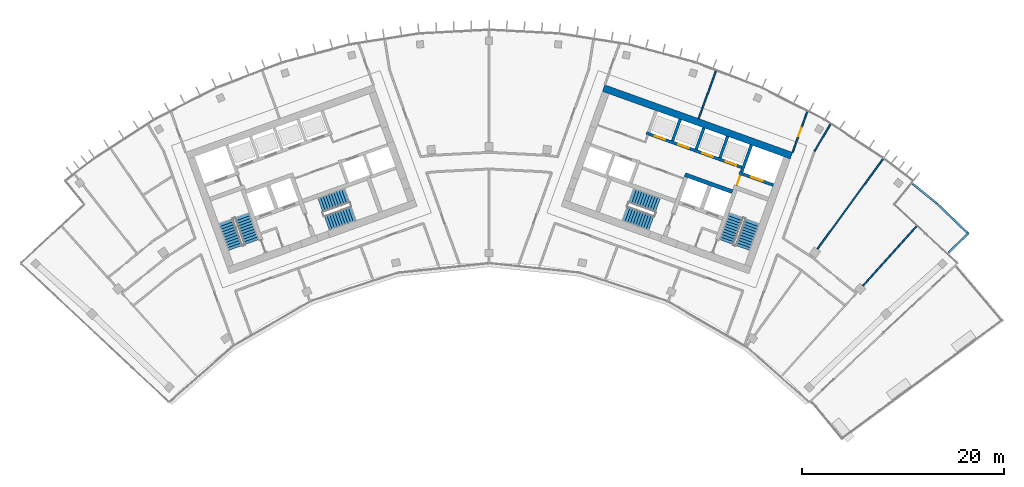
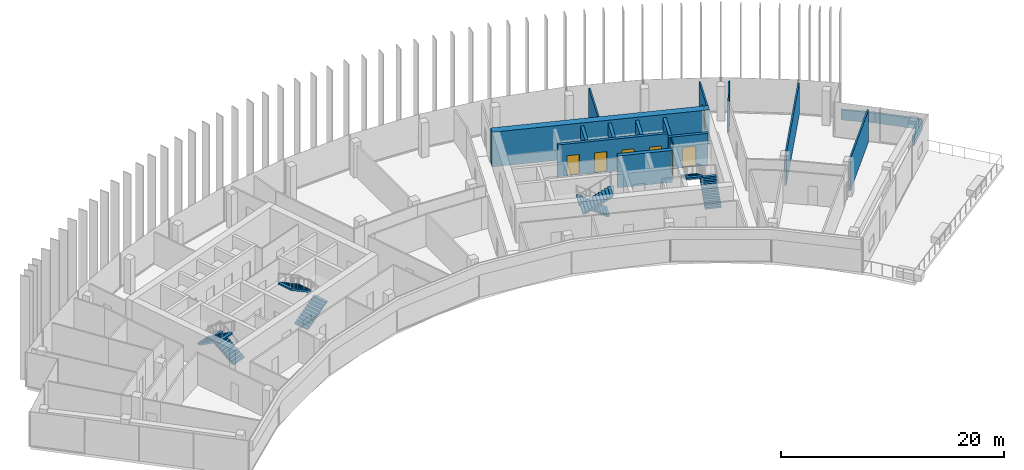
# One storey, part 17 of 19: 17 walls, 8 stair flights, 7 doors, 7 openings, 4 elements without a shape of their own.
"""IFC4 building model written with IfcOpenShell, lengths in metres."""

from ifc_helpers import new_model, si_unit, direction, frame, frame_2d, origin, place, context, subcontext, project, spatial, polyline, rectangle, outline, extrude, material, layer, layer_set, type_object, element, fill, aggregate, save


model = new_model("IFC4")

# Units and contexts
model_context = context("Model", 3, precision=1e-05, world=origin(), true_north=direction((0.0, 1.0)))
body_context = subcontext(model_context, "Body", "Model", "MODEL_VIEW")
ifc_project = project(units=[si_unit("LENGTHUNIT", "METRE"), si_unit("AREAUNIT", "SQUARE_METRE"), si_unit("VOLUMEUNIT", "CUBIC_METRE"), si_unit("PLANEANGLEUNIT", "RADIAN"), si_unit("MASSUNIT", "GRAM", prefix="KILO")], contexts=[model_context])

# Site, building, storey
site_placement = place(None, origin())
site = spatial("IfcSite", under=ifc_project, at=site_placement, CompositionType="ELEMENT")
building_placement = place(site_placement, origin())
building = spatial("IfcBuilding", under=site, at=building_placement, Name="Stone Belt Terrace Tower", CompositionType="ELEMENT")
storey_placement = place(building_placement, frame((0.0, 0.0, 258.0)))
storey = spatial("IfcBuildingStorey", under=building, at=storey_placement, Name="L62", CompositionType="ELEMENT", Elevation=258.0)

# Wall, opening, door
ifc_material_1 = material(Name="Plasterboard partition")
ifc_layer_1 = layer(ifc_material_1, 0.10009765625)
ifc_layer_set_1 = layer_set([ifc_layer_1], Name="Core partition 100")
wall_type_1 = type_object("IfcWallType", Name="Core partition 100", PredefinedType="PARTITIONING", material=ifc_layer_set_1)
wall_1_placement = place(storey_placement, frame((24.555908203125, 51.10400390625, 0.0), z_axis=(0.0, 0.0, 1.0), x_axis=(0.338621735342, 0.94092258999, 0.0)))
wall_1 = element("IfcWall", 1, at=wall_1_placement, inside=storey, type_object=wall_type_1, Name="Core B wall", PredefinedType="PARTITIONING", context=body_context, shape_type="SweptSolid", body=[
    extrude(rectangle(XDim=1.14990234375, YDim=0.10009765625, at=frame_2d((0.574951171875, 0.0))), origin(), (0.0, 0.0, 1.0), 3.47998046875),
])
opening_1_placement = place(wall_1_placement, frame((0.050048828125, 0.0, 0.0)))
opening_1 = element("IfcOpeningElement", 2, at=opening_1_placement, cuts=wall_1, Name="Opening L62-C13", PredefinedType="OPENING", context=body_context, shape_type="SweptSolid", body=[
    extrude(rectangle(XDim=1.0, YDim=2.10009765625, at=frame_2d((0.5, 1.050048828125))), frame((0.0, 0.06005859375, 0.0), z_axis=(0.0, -1.0, 0.0), x_axis=(1.0, 0.0, 0.0)), (0.0, 0.0, 1.0), 0.1201171875),
])
ifc_material_2 = material(Name="Timber door leaf", Category="wood")
door_type_1 = type_object("IfcDoorType", Name="Core room door 1000", OperationType="SINGLE_SWING_LEFT", PredefinedType="DOOR", material=ifc_material_2)
door_1_placement = place(opening_1_placement, origin())
door_1 = element("IfcDoor", 3, at=door_1_placement, inside=storey, type_object=door_type_1, Name="Service lift lobby door core B", OperationType="SINGLE_SWING_RIGHT", OverallHeight=2.10009765625, OverallWidth=1.0, PredefinedType="DOOR", context=body_context, shape_type="SweptSolid", body=[
    extrude(rectangle(XDim=1.0, YDim=2.10009765625, at=frame_2d((0.5, 1.050048828125))), frame((0.0, 0.02490234375, 0.0), z_axis=(0.0, -1.0, 0.0), x_axis=(1.0, 0.0, 0.0)), (0.0, 0.0, 1.0), 0.050048828125),
])
fill(opening_1, door_1)

# Walls
ifc_material_3 = material(Name="Concrete B60", Category="concrete")
ifc_layer_2 = layer(ifc_material_3, 0.699951171875)
ifc_layer_set_2 = layer_set([ifc_layer_2], Name="Core wall 700 B60")
wall_type_2 = type_object("IfcWallType", Name="Core wall 700 B60", PredefinedType="SHEAR", material=ifc_layer_set_2)
wall_2_placement = place(storey_placement, frame((11.35791015625, 60.795654296875, 0.0), z_axis=(0.0, 0.0, 1.0), x_axis=(0.940919787944, -0.33862952124, 0.0)))
element("IfcWall", 4, at=wall_2_placement, inside=storey, type_object=wall_type_2, Name="Core B wall convex L62", PredefinedType="SHEAR", context=body_context, shape_type="SweptSolid", body=[
    extrude(rectangle(XDim=19.7998046875, YDim=0.699951171875, at=frame_2d((9.89990234375, 0.0))), origin(), (0.0, 0.0, 1.0), 3.800048828125),
])
ifc_material_4 = material(Name="Concrete B80", Category="concrete")
ifc_layer_3 = layer(ifc_material_4, 0.39990234375)
ifc_layer_set_3 = layer_set([ifc_layer_3], Name="Fire-fighting lift shaft wall 400")
wall_type_3 = type_object("IfcWallType", Name="Fire-fighting lift shaft wall 400", PredefinedType="SHEAR", material=ifc_layer_set_3)
wall_3_placement = place(storey_placement, frame((24.130615234375, 50.512939453125, 0.0), z_axis=(0.0, 0.0, 1.0), x_axis=(-0.94091168377, 0.338652038744, 0.0)))
element("IfcWall", 5, at=wall_3_placement, inside=storey, type_object=wall_type_3, Name="Core B wall", PredefinedType="SHEAR", context=body_context, shape_type="SweptSolid", body=[
    extrude(rectangle(XDim=5.000244140625, YDim=0.39990234375, at=frame_2d((2.5, 0.0))), origin(), (0.0, 0.0, 1.0), 3.47998046875),
])

# Wall, opening, door
ifc_layer_4 = layer(ifc_material_4, 0.300048828125)
ifc_layer_set_4 = layer_set([ifc_layer_4], Name="Lift shaft wall 300")
wall_type_4 = type_object("IfcWallType", Name="Lift shaft wall 300", PredefinedType="SHEAR", material=ifc_layer_set_4)
wall_4_placement = place(storey_placement, frame((28.195068359375, 51.17578125, 0.0), z_axis=(0.0, 0.0, 1.0), x_axis=(-0.940901243567, 0.338681044427, 0.0)))
wall_4 = element("IfcWall", 6, at=wall_4_placement, inside=storey, type_object=wall_type_4, Name="Core B wall", PredefinedType="SHEAR", context=body_context, shape_type="SweptSolid", body=[
    extrude(rectangle(XDim=3.599853515625, YDim=0.300048828125, at=frame_2d((1.7998046875, 0.0))), origin(), (0.0, 0.0, 1.0), 3.47998046875),
])
opening_2_placement = place(wall_4_placement, frame((1.1201171875, 0.0, 0.0)))
opening_2 = element("IfcOpeningElement", 7, at=opening_2_placement, cuts=wall_4, Name="Opening L62-LD16", PredefinedType="OPENING", context=body_context, shape_type="SweptSolid", body=[
    extrude(rectangle(XDim=1.199951171875, YDim=2.199951171875, at=frame_2d((0.60009765625, 1.10009765625))), frame((0.0, 0.159912109375, 0.0), z_axis=(0.0, -1.0, 0.0), x_axis=(1.0, 0.0, 0.0)), (0.0, 0.0, 1.0), 0.320068359375),
])
ifc_material_5 = material(Name="Stainless steel door leaf", Category="steel")
door_type_2 = type_object("IfcDoorType", Name="Landing door 1200", OperationType="SLIDING_TO_LEFT", PredefinedType="DOOR", material=ifc_material_5)
door_2_placement = place(opening_2_placement, origin())
door_2 = element("IfcDoor", 8, at=door_2_placement, inside=storey, type_object=door_type_2, Name="Landing door SV1 core B", OperationType="SLIDING_TO_LEFT", OverallHeight=2.199951171875, OverallWidth=1.199951171875, PredefinedType="DOOR", context=body_context, shape_type="SweptSolid", body=[
    extrude(rectangle(XDim=1.199951171875, YDim=2.199951171875, at=frame_2d((0.60009765625, 1.10009765625))), frame((0.0, 0.02490234375, 0.0), z_axis=(0.0, -1.0, 0.0), x_axis=(1.0, 0.0, 0.0)), (0.0, 0.0, 1.0), 0.050048828125),
])
fill(opening_2, door_2)

# Wall
wall_5_placement = place(storey_placement, frame((25.046875, 52.46826171875, 0.0), z_axis=(0.0, 0.0, 1.0), x_axis=(0.338549588058, 0.940948551423, 0.0)))
element("IfcWall", 9, at=wall_5_placement, inside=storey, type_object=wall_type_4, Name="Core B wall", PredefinedType="SHEAR", context=body_context, shape_type="SweptSolid", body=[
    extrude(rectangle(XDim=2.849853515625, YDim=0.300048828125, at=frame_2d((1.4248046875, 0.0))), origin(), (0.0, 0.0, 1.0), 3.47998046875),
])

# Wall, openings, doors
wall_6_placement = place(storey_placement, frame((25.05810546875, 52.9423828125, 0.0), z_axis=(0.0, 0.0, 1.0), x_axis=(-0.940917446785, 0.338636026339, 0.0)))
wall_6 = element("IfcWall", 10, at=wall_6_placement, inside=storey, type_object=wall_type_4, Name="Core B wall", PredefinedType="SHEAR", context=body_context, shape_type="SweptSolid", body=[
    extrude(rectangle(XDim=10.050048828125, YDim=0.300048828125, at=frame_2d((5.02490234375, 0.0))), origin(), (0.0, 0.0, 1.0), 3.47998046875),
])
opening_3_placement = place(wall_6_placement, frame((0.570068359375, 0.0, 0.0)))
opening_3 = element("IfcOpeningElement", 11, at=opening_3_placement, cuts=wall_6, Name="Opening L62-LD09", PredefinedType="OPENING", context=body_context, shape_type="SweptSolid", body=[
    extrude(rectangle(XDim=1.10009765625, YDim=2.199951171875, at=frame_2d((0.550048828125, 1.10009765625))), frame((0.0, 0.159912109375, 0.0), z_axis=(0.0, -1.0, 0.0), x_axis=(1.0, 0.0, 0.0)), (0.0, 0.0, 1.0), 0.320068359375),
])
opening_4_placement = place(wall_6_placement, frame((3.070068359375, 0.0, 0.0)))
opening_4 = element("IfcOpeningElement", 12, at=opening_4_placement, cuts=wall_6, Name="Opening L62-LD10", PredefinedType="OPENING", context=body_context, shape_type="SweptSolid", body=[
    extrude(rectangle(XDim=1.10009765625, YDim=2.199951171875, at=frame_2d((0.550048828125, 1.10009765625))), frame((0.0, 0.159912109375, 0.0), z_axis=(0.0, -1.0, 0.0), x_axis=(1.0, 0.0, 0.0)), (0.0, 0.0, 1.0), 0.320068359375),
])
opening_5_placement = place(wall_6_placement, frame((5.570068359375, 0.0, 0.0)))
opening_5 = element("IfcOpeningElement", 13, at=opening_5_placement, cuts=wall_6, Name="Opening L62-LD11", PredefinedType="OPENING", context=body_context, shape_type="SweptSolid", body=[
    extrude(rectangle(XDim=1.10009765625, YDim=2.199951171875, at=frame_2d((0.550048828125, 1.10009765625))), frame((0.0, 0.159912109375, 0.0), z_axis=(0.0, -1.0, 0.0), x_axis=(1.0, 0.0, 0.0)), (0.0, 0.0, 1.0), 0.320068359375),
])
opening_6_placement = place(wall_6_placement, frame((8.070068359375, 0.0, 0.0)))
opening_6 = element("IfcOpeningElement", 14, at=opening_6_placement, cuts=wall_6, Name="Opening L62-LD12", PredefinedType="OPENING", context=body_context, shape_type="SweptSolid", body=[
    extrude(rectangle(XDim=1.10009765625, YDim=2.199951171875, at=frame_2d((0.550048828125, 1.10009765625))), frame((0.0, 0.159912109375, 0.0), z_axis=(0.0, -1.0, 0.0), x_axis=(1.0, 0.0, 0.0)), (0.0, 0.0, 1.0), 0.320068359375),
])
door_type_3 = type_object("IfcDoorType", Name="Landing door 1100", OperationType="SLIDING_TO_LEFT", PredefinedType="DOOR", material=ifc_material_5)
door_3_placement = place(opening_3_placement, origin())
door_3 = element("IfcDoor", 15, at=door_3_placement, inside=storey, type_object=door_type_3, Name="Landing door HR1 core B", OperationType="SLIDING_TO_LEFT", OverallHeight=2.199951171875, OverallWidth=1.10009765625, PredefinedType="DOOR", context=body_context, shape_type="SweptSolid", body=[
    extrude(rectangle(XDim=1.10009765625, YDim=2.199951171875, at=frame_2d((0.550048828125, 1.10009765625))), frame((0.0, 0.02490234375, 0.0), z_axis=(0.0, -1.0, 0.0), x_axis=(1.0, 0.0, 0.0)), (0.0, 0.0, 1.0), 0.050048828125),
])
fill(opening_3, door_3)
door_4_placement = place(opening_4_placement, origin())
door_4 = element("IfcDoor", 16, at=door_4_placement, inside=storey, type_object=door_type_3, Name="Landing door HR2 core B", OperationType="SLIDING_TO_LEFT", OverallHeight=2.199951171875, OverallWidth=1.10009765625, PredefinedType="DOOR", context=body_context, shape_type="SweptSolid", body=[
    extrude(rectangle(XDim=1.10009765625, YDim=2.199951171875, at=frame_2d((0.550048828125, 1.10009765625))), frame((0.0, 0.02490234375, 0.0), z_axis=(0.0, -1.0, 0.0), x_axis=(1.0, 0.0, 0.0)), (0.0, 0.0, 1.0), 0.050048828125),
])
fill(opening_4, door_4)
door_5_placement = place(opening_5_placement, origin())
door_5 = element("IfcDoor", 17, at=door_5_placement, inside=storey, type_object=door_type_3, Name="Landing door HR3 core B", OperationType="SLIDING_TO_LEFT", OverallHeight=2.199951171875, OverallWidth=1.10009765625, PredefinedType="DOOR", context=body_context, shape_type="SweptSolid", body=[
    extrude(rectangle(XDim=1.10009765625, YDim=2.199951171875, at=frame_2d((0.550048828125, 1.10009765625))), frame((0.0, 0.02490234375, 0.0), z_axis=(0.0, -1.0, 0.0), x_axis=(1.0, 0.0, 0.0)), (0.0, 0.0, 1.0), 0.050048828125),
])
fill(opening_5, door_5)
door_6_placement = place(opening_6_placement, origin())
door_6 = element("IfcDoor", 18, at=door_6_placement, inside=storey, type_object=door_type_3, Name="Landing door HR4 core B", OperationType="SLIDING_TO_LEFT", OverallHeight=2.199951171875, OverallWidth=1.10009765625, PredefinedType="DOOR", context=body_context, shape_type="SweptSolid", body=[
    extrude(rectangle(XDim=1.10009765625, YDim=2.199951171875, at=frame_2d((0.550048828125, 1.10009765625))), frame((0.0, 0.02490234375, 0.0), z_axis=(0.0, -1.0, 0.0), x_axis=(1.0, 0.0, 0.0)), (0.0, 0.0, 1.0), 0.050048828125),
])
fill(opening_6, door_6)

# Walls
wall_7_placement = place(storey_placement, frame((22.897705078125, 53.87939453125, 0.0), z_axis=(0.0, 0.0, 1.0), x_axis=(0.338535034312, 0.940953787677, 0.0)))
element("IfcWall", 19, at=wall_7_placement, inside=storey, type_object=wall_type_4, Name="Core B wall", PredefinedType="SHEAR", context=body_context, shape_type="SweptSolid", body=[
    extrude(rectangle(XDim=2.25, YDim=0.300048828125, at=frame_2d((1.125, 0.0))), origin(), (0.0, 0.0, 1.0), 3.47998046875),
])
wall_8_placement = place(storey_placement, frame((20.54541015625, 54.72607421875, 0.0), z_axis=(0.0, 0.0, 1.0), x_axis=(0.338569601369, 0.940941350472, 0.0)))
element("IfcWall", 20, at=wall_8_placement, inside=storey, type_object=wall_type_4, Name="Core B wall", PredefinedType="SHEAR", context=body_context, shape_type="SweptSolid", body=[
    extrude(rectangle(XDim=2.249755859375, YDim=0.300048828125, at=frame_2d((1.125, 0.0))), origin(), (0.0, 0.0, 1.0), 3.47998046875),
])
wall_9_placement = place(storey_placement, frame((18.193115234375, 55.572509765625, 0.0), z_axis=(0.0, 0.0, 1.0), x_axis=(0.338535034312, 0.940953787677, 0.0)))
element("IfcWall", 21, at=wall_9_placement, inside=storey, type_object=wall_type_4, Name="Core B wall", PredefinedType="SHEAR", context=body_context, shape_type="SweptSolid", body=[
    extrude(rectangle(XDim=2.25, YDim=0.300048828125, at=frame_2d((1.125, 0.0))), origin(), (0.0, 0.0, 1.0), 3.47998046875),
])

# Wall, opening, door
ifc_material_6 = material(Name="Gypsum board partition")
ifc_layer_5 = layer(ifc_material_6, 0.14990234375)
ifc_layer_set_5 = layer_set([ifc_layer_5], Name="PARTITION 150 EI 60")
wall_type_5 = type_object("IfcWallType", Name="PARTITION 150 EI 60", PredefinedType="PARTITIONING", material=ifc_layer_set_5)
wall_10_placement = place(storey_placement, frame((30.10595703125, 54.4208984375, 0.0), z_axis=(0.0, 0.0, 1.0), x_axis=(0.338725523051, 0.940885232127, 0.0)))
wall_10 = element("IfcWall", 22, at=wall_10_placement, inside=storey, type_object=wall_type_5, Name="L62/wall/i027", PredefinedType="PARTITIONING", context=body_context, shape_type="SweptSolid", body=[
    extrude(rectangle(XDim=4.283447265625, YDim=0.14990234375, at=frame_2d((2.1416015625, 0.0))), origin(), (0.0, 0.0, 1.0), 3.47998046875),
])
opening_7_placement = place(wall_10_placement, frame((1.691650390625, 0.0, 0.0)))
opening_7 = element("IfcOpeningElement", 23, at=opening_7_placement, cuts=wall_10, Name="Opening D-SK2-10", PredefinedType="OPENING", context=body_context, shape_type="SweptSolid", body=[
    extrude(rectangle(XDim=0.89990234375, YDim=2.10009765625, at=frame_2d((0.449951171875, 1.050048828125))), frame((0.0, 0.0849609375, 0.0), z_axis=(0.0, -1.0, 0.0), x_axis=(1.0, 0.0, 0.0)), (0.0, 0.0, 1.0), 0.169921875),
])
door_type_4 = type_object("IfcDoorType", Name="OFFICE DOOR 900 X 2100", OperationType="NOTDEFINED", PredefinedType="DOOR", material=ifc_material_2)
door_7_placement = place(opening_7_placement, origin())
door_7 = element("IfcDoor", 24, at=door_7_placement, inside=storey, type_object=door_type_4, Name="L62/door/i10", OperationType="SINGLE_SWING_RIGHT", OverallHeight=2.10009765625, OverallWidth=0.89990234375, PredefinedType="DOOR", context=body_context, shape_type="SweptSolid", body=[
    extrude(rectangle(XDim=0.89990234375, YDim=2.10009765625, at=frame_2d((0.449951171875, 1.050048828125))), frame((0.0, 0.02490234375, 0.0), z_axis=(0.0, -1.0, 0.0), x_axis=(1.0, 0.0, 0.0)), (0.0, 0.0, 1.0), 0.050048828125),
])
fill(opening_7, door_7)

# Walls
wall_11_placement = place(storey_placement, frame((33.85400390625, 57.197998046875, 0.0), z_axis=(0.0, 0.0, 1.0), x_axis=(-0.509561548311, -0.860434209271, 0.0)))
element("IfcWall", 25, at=wall_11_placement, inside=storey, type_object=wall_type_5, Name="L62/wall/i030", PredefinedType="PARTITIONING", context=body_context, shape_type="SweptSolid", body=[
    extrude(rectangle(XDim=3.1123046875, YDim=0.14990234375, at=frame_2d((1.55615234375, 0.0))), origin(), (0.0, 0.0, 1.0), 3.47998046875),
])
wall_12_placement = place(storey_placement, frame((22.492919921875, 62.4990234375, 0.0), z_axis=(0.0, 0.0, 1.0), x_axis=(-0.33863857163, -0.940916530732, 0.0)))
element("IfcWall", 26, at=wall_12_placement, inside=storey, type_object=wall_type_5, Name="L62/wall/i038", PredefinedType="PARTITIONING", context=body_context, shape_type="SweptSolid", body=[
    extrude(rectangle(XDim=5.02294921875, YDim=0.14990234375, at=frame_2d((2.511474609375, 0.0))), origin(), (0.0, 0.0, 1.0), 3.47998046875),
])
wall_13_placement = place(storey_placement, frame((37.09033203125, 41.192138671875, 0.0), z_axis=(0.0, 0.0, 1.0), x_axis=(0.669102428281, 0.743170196165, 0.0)))
element("IfcWall", 27, at=wall_13_placement, inside=storey, type_object=wall_type_5, Name="L62/wall/i058", PredefinedType="PARTITIONING", context=body_context, shape_type="SweptSolid", body=[
    extrude(rectangle(XDim=7.933837890625, YDim=0.14990234375, at=frame_2d((3.966796875, 0.0))), origin(), (0.0, 0.0, 1.0), 3.47998046875),
])
wall_14_placement = place(storey_placement, frame((39.087890625, 53.7998046875, 0.0), z_axis=(0.0, 0.0, 1.0), x_axis=(-0.587817591062, -0.808993497896, 0.0)))
element("IfcWall", 28, at=wall_14_placement, inside=storey, type_object=wall_type_5, Name="L62/wall/i065", PredefinedType="PARTITIONING", context=body_context, shape_type="SweptSolid", body=[
    extrude(rectangle(XDim=11.0703125, YDim=0.14990234375, at=frame_2d((5.53515625, 0.0))), origin(), (0.0, 0.0, 1.0), 3.47998046875),
])
ifc_material_7 = material(Name="Precast concrete C40/50", Category="concrete")
ifc_layer_6 = layer(ifc_material_7, 0.199951171875)
ifc_layer_set_6 = layer_set([ifc_layer_6], Name="Roof parapet 200 x 1100")
wall_type_6 = type_object("IfcWallType", Name="Roof parapet 200 x 1100", PredefinedType="PARAPET", material=ifc_layer_set_6)
wall_15_placement = place(storey_placement, frame((44.430908203125, 49.343994140625, 0.0), z_axis=(0.0, 0.0, 1.0), x_axis=(-0.777130503132, 0.629339480013, 0.0)))
element("IfcWall", 29, at=wall_15_placement, inside=storey, type_object=wall_type_6, Name="PARAPET L62", PredefinedType="PARAPET", context=body_context, shape_type="SweptSolid", body=[
    extrude(rectangle(XDim=3.08251953125, YDim=0.199951171875, at=frame_2d((1.541259765625, 0.0))), origin(), (0.0, 0.0, 1.0), 1.10009765625),
])
wall_16_placement = place(storey_placement, frame((45.572998046875, 44.470947265625, 0.0), z_axis=(0.0, 0.0, 1.0), x_axis=(0.716818029194, 0.697260290725, 0.0)))
element("IfcWall", 30, at=wall_16_placement, inside=storey, type_object=wall_type_6, Name="PARAPET L62", PredefinedType="PARAPET", context=body_context, shape_type="SweptSolid", body=[
    extrude(rectangle(XDim=2.72119140625, YDim=0.199951171875, at=frame_2d((1.360595703125, 0.0))), origin(), (0.0, 0.0, 1.0), 1.10009765625),
])
wall_17_placement = place(storey_placement, frame((47.523681640625, 46.368408203125, 0.0), z_axis=(0.0, 0.0, 1.0), x_axis=(-0.720627527762, 0.693322411459, 0.0)))
element("IfcWall", 31, at=wall_17_placement, inside=storey, type_object=wall_type_6, Name="PARAPET L62", PredefinedType="PARAPET", context=body_context, shape_type="SweptSolid", body=[
    extrude(rectangle(XDim=4.291748046875, YDim=0.199951171875, at=frame_2d((2.14599609375, 0.0))), origin(), (0.0, 0.0, 1.0), 1.10009765625),
])

# Stair, stair flights
ifc_material_8 = material(Name="Concrete B40", Category="concrete")
stair_type = type_object("IfcStairType", Name="Exit stair 1500", PredefinedType="HALF_TURN_STAIR", material=ifc_material_8)
stair_1_placement = place(storey_placement, origin())
stair_1 = element("IfcStair", 32, at=stair_1_placement, inside=storey, type_object=stair_type, Name="L62 Exit stair 1 core A", PredefinedType="HALF_TURN_STAIR")
stair_flight_type = type_object("IfcStairFlightType", Name="Stair flight 1500", PredefinedType="STRAIGHT", material=ifc_material_8)
stair_flight_1_placement = place(storey_placement, frame((-23.55322265625, 45.51318359375, 0.0), z_axis=(0.0, 0.0, 1.0), x_axis=(-0.338624396177, 0.940921632398, 0.0)))
stair_flight_1 = element("IfcStairFlight", 33, at=stair_flight_1_placement, type_object=stair_flight_type, Name="ST1A flight 1", NumberOfRisers=11, NumberOfTreads=10, PredefinedType="STRAIGHT", RiserHeight=0.172727273, TreadLength=0.28, context=body_context, shape_type="SweptSolid", body=[
    extrude(outline(polyline([(0.0, 0.0), (0.0, 0.172607421875), (0.280029296875, 0.172607421875), (0.280029296875, 0.345458984375), (0.56005859375, 0.345458984375), (0.56005859375, 0.51806640625), (0.840087890625, 0.51806640625), (0.840087890625, 0.69091796875), (1.1201171875, 0.69091796875), (1.1201171875, 0.863525390625), (1.39990234375, 0.863525390625), (1.39990234375, 1.036376953125), (1.679931640625, 1.036376953125), (1.679931640625, 1.208984375), (1.9599609375, 1.208984375), (1.9599609375, 1.3818359375), (2.239990234375, 1.3818359375), (2.239990234375, 1.554443359375), (2.52001953125, 1.554443359375), (2.52001953125, 1.727294921875), (2.800048828125, 1.727294921875), (2.800048828125, 1.89990234375), (2.800048828125, 1.551025390625), (0.285400390625, 0.0), (0.0, 0.0)])), frame((0.0, 0.75, 0.0), z_axis=(0.0, -1.0, 0.0), x_axis=(1.0, 0.0, 0.0)), (0.0, 0.0, 1.0), 1.5),
])
stair_flight_2_placement = place(storey_placement, frame((-26.10107421875, 47.572021484375, 1.89990234375), z_axis=(0.0, 0.0, 1.0), x_axis=(0.338624396177, -0.940921632398, 0.0)))
stair_flight_2 = element("IfcStairFlight", 34, at=stair_flight_2_placement, type_object=stair_flight_type, Name="ST1A flight 2", NumberOfRisers=11, NumberOfTreads=10, PredefinedType="STRAIGHT", RiserHeight=0.172727273, TreadLength=0.28, context=body_context, shape_type="SweptSolid", body=[
    extrude(outline(polyline([(0.0, 0.0), (0.0, 0.172607421875), (0.280029296875, 0.172607421875), (0.280029296875, 0.345458984375), (0.56005859375, 0.345458984375), (0.56005859375, 0.51806640625), (0.840087890625, 0.51806640625), (0.840087890625, 0.69091796875), (1.1201171875, 0.69091796875), (1.1201171875, 0.863525390625), (1.39990234375, 0.863525390625), (1.39990234375, 1.036376953125), (1.679931640625, 1.036376953125), (1.679931640625, 1.208984375), (1.9599609375, 1.208984375), (1.9599609375, 1.3818359375), (2.239990234375, 1.3818359375), (2.239990234375, 1.554443359375), (2.52001953125, 1.554443359375), (2.52001953125, 1.727294921875), (2.800048828125, 1.727294921875), (2.800048828125, 1.89990234375), (2.800048828125, 1.551025390625), (0.285400390625, 0.0), (0.0, 0.0)])), frame((0.0, 0.75, 0.0), z_axis=(0.0, -1.0, 0.0), x_axis=(1.0, 0.0, 0.0)), (0.0, 0.0, 1.0), 1.5),
])
aggregate(stair_1, [stair_flight_1, stair_flight_2])

stair_2_placement = place(storey_placement, origin())
stair_2 = element("IfcStair", 35, at=stair_2_placement, inside=storey, type_object=stair_type, Name="L62 Exit stair 2 core A", PredefinedType="HALF_TURN_STAIR")
stair_flight_3_placement = place(storey_placement, frame((-16.101318359375, 47.39794921875, 0.0), z_axis=(0.0, 0.0, 1.0), x_axis=(0.940921632398, 0.338624396177, 0.0)))
stair_flight_3 = element("IfcStairFlight", 36, at=stair_flight_3_placement, type_object=stair_flight_type, Name="ST2A flight 1", NumberOfRisers=11, NumberOfTreads=10, PredefinedType="STRAIGHT", RiserHeight=0.172727273, TreadLength=0.28, context=body_context, shape_type="SweptSolid", body=[
    extrude(outline(polyline([(0.0, 0.0), (0.0, 0.172607421875), (0.280029296875, 0.172607421875), (0.280029296875, 0.345458984375), (0.56005859375, 0.345458984375), (0.56005859375, 0.51806640625), (0.840087890625, 0.51806640625), (0.840087890625, 0.69091796875), (1.1201171875, 0.69091796875), (1.1201171875, 0.863525390625), (1.39990234375, 0.863525390625), (1.39990234375, 1.036376953125), (1.679931640625, 1.036376953125), (1.679931640625, 1.208984375), (1.9599609375, 1.208984375), (1.9599609375, 1.3818359375), (2.239990234375, 1.3818359375), (2.239990234375, 1.554443359375), (2.52001953125, 1.554443359375), (2.52001953125, 1.727294921875), (2.800048828125, 1.727294921875), (2.800048828125, 1.89990234375), (2.800048828125, 1.551025390625), (0.285400390625, 0.0), (0.0, 0.0)])), frame((0.0, 0.75, 0.0), z_axis=(0.0, -1.0, 0.0), x_axis=(1.0, 0.0, 0.0)), (0.0, 0.0, 1.0), 1.5),
])
stair_flight_4_placement = place(storey_placement, frame((-14.110107421875, 50.1337890625, 1.89990234375), z_axis=(0.0, 0.0, 1.0), x_axis=(-0.940921632398, -0.338624396177, 0.0)))
stair_flight_4 = element("IfcStairFlight", 37, at=stair_flight_4_placement, type_object=stair_flight_type, Name="ST2A flight 2", NumberOfRisers=11, NumberOfTreads=10, PredefinedType="STRAIGHT", RiserHeight=0.172727273, TreadLength=0.28, context=body_context, shape_type="SweptSolid", body=[
    extrude(outline(polyline([(0.0, 0.0), (0.0, 0.172607421875), (0.280029296875, 0.172607421875), (0.280029296875, 0.345458984375), (0.56005859375, 0.345458984375), (0.56005859375, 0.51806640625), (0.840087890625, 0.51806640625), (0.840087890625, 0.69091796875), (1.1201171875, 0.69091796875), (1.1201171875, 0.863525390625), (1.39990234375, 0.863525390625), (1.39990234375, 1.036376953125), (1.679931640625, 1.036376953125), (1.679931640625, 1.208984375), (1.9599609375, 1.208984375), (1.9599609375, 1.3818359375), (2.239990234375, 1.3818359375), (2.239990234375, 1.554443359375), (2.52001953125, 1.554443359375), (2.52001953125, 1.727294921875), (2.800048828125, 1.727294921875), (2.800048828125, 1.89990234375), (2.800048828125, 1.551025390625), (0.285400390625, 0.0), (0.0, 0.0)])), frame((0.0, 0.75, 0.0), z_axis=(0.0, -1.0, 0.0), x_axis=(1.0, 0.0, 0.0)), (0.0, 0.0, 1.0), 1.5),
])
aggregate(stair_2, [stair_flight_3, stair_flight_4])

stair_3_placement = place(storey_placement, origin())
stair_3 = element("IfcStair", 38, at=stair_3_placement, inside=storey, type_object=stair_type, Name="L62 Exit stair 1 core B", PredefinedType="HALF_TURN_STAIR")
stair_flight_5_placement = place(storey_placement, frame((25.15283203125, 44.9375, 0.0), z_axis=(0.0, 0.0, 1.0), x_axis=(0.338624396177, 0.940921632398, 0.0)))
stair_flight_5 = element("IfcStairFlight", 39, at=stair_flight_5_placement, type_object=stair_flight_type, Name="ST1B flight 1", NumberOfRisers=11, NumberOfTreads=10, PredefinedType="STRAIGHT", RiserHeight=0.172727273, TreadLength=0.28, context=body_context, shape_type="SweptSolid", body=[
    extrude(outline(polyline([(0.0, 0.0), (0.0, 0.172607421875), (0.280029296875, 0.172607421875), (0.280029296875, 0.345458984375), (0.56005859375, 0.345458984375), (0.56005859375, 0.51806640625), (0.840087890625, 0.51806640625), (0.840087890625, 0.69091796875), (1.1201171875, 0.69091796875), (1.1201171875, 0.863525390625), (1.39990234375, 0.863525390625), (1.39990234375, 1.036376953125), (1.679931640625, 1.036376953125), (1.679931640625, 1.208984375), (1.9599609375, 1.208984375), (1.9599609375, 1.3818359375), (2.239990234375, 1.3818359375), (2.239990234375, 1.554443359375), (2.52001953125, 1.554443359375), (2.52001953125, 1.727294921875), (2.800048828125, 1.727294921875), (2.800048828125, 1.89990234375), (2.800048828125, 1.551025390625), (0.285400390625, 0.0), (0.0, 0.0)])), frame((0.0, 0.75, 0.0), z_axis=(0.0, -1.0, 0.0), x_axis=(1.0, 0.0, 0.0)), (0.0, 0.0, 1.0), 1.5),
])
stair_flight_6_placement = place(storey_placement, frame((24.50146484375, 48.147705078125, 1.89990234375), z_axis=(0.0, 0.0, 1.0), x_axis=(-0.338624396177, -0.940921632398, 0.0)))
stair_flight_6 = element("IfcStairFlight", 40, at=stair_flight_6_placement, type_object=stair_flight_type, Name="ST1B flight 2", NumberOfRisers=11, NumberOfTreads=10, PredefinedType="STRAIGHT", RiserHeight=0.172727273, TreadLength=0.28, context=body_context, shape_type="SweptSolid", body=[
    extrude(outline(polyline([(0.0, 0.0), (0.0, 0.172607421875), (0.280029296875, 0.172607421875), (0.280029296875, 0.345458984375), (0.56005859375, 0.345458984375), (0.56005859375, 0.51806640625), (0.840087890625, 0.51806640625), (0.840087890625, 0.69091796875), (1.1201171875, 0.69091796875), (1.1201171875, 0.863525390625), (1.39990234375, 0.863525390625), (1.39990234375, 1.036376953125), (1.679931640625, 1.036376953125), (1.679931640625, 1.208984375), (1.9599609375, 1.208984375), (1.9599609375, 1.3818359375), (2.239990234375, 1.3818359375), (2.239990234375, 1.554443359375), (2.52001953125, 1.554443359375), (2.52001953125, 1.727294921875), (2.800048828125, 1.727294921875), (2.800048828125, 1.89990234375), (2.800048828125, 1.551025390625), (0.285400390625, 0.0), (0.0, 0.0)])), frame((0.0, 0.75, 0.0), z_axis=(0.0, -1.0, 0.0), x_axis=(1.0, 0.0, 0.0)), (0.0, 0.0, 1.0), 1.5),
])
aggregate(stair_3, [stair_flight_5, stair_flight_6])

stair_4_placement = place(storey_placement, origin())
stair_4 = element("IfcStair", 41, at=stair_4_placement, inside=storey, type_object=stair_type, Name="L62 Exit stair 2 core B", PredefinedType="HALF_TURN_STAIR")
stair_flight_7_placement = place(storey_placement, frame((16.74462890625, 49.185546875, 0.0), z_axis=(0.0, 0.0, 1.0), x_axis=(-0.940921632398, 0.338624396177, 0.0)))
stair_flight_7 = element("IfcStairFlight", 42, at=stair_flight_7_placement, type_object=stair_flight_type, Name="ST2B flight 1", NumberOfRisers=11, NumberOfTreads=10, PredefinedType="STRAIGHT", RiserHeight=0.172727273, TreadLength=0.28, context=body_context, shape_type="SweptSolid", body=[
    extrude(outline(polyline([(0.0, 0.0), (0.0, 0.172607421875), (0.280029296875, 0.172607421875), (0.280029296875, 0.345458984375), (0.56005859375, 0.345458984375), (0.56005859375, 0.51806640625), (0.840087890625, 0.51806640625), (0.840087890625, 0.69091796875), (1.1201171875, 0.69091796875), (1.1201171875, 0.863525390625), (1.39990234375, 0.863525390625), (1.39990234375, 1.036376953125), (1.679931640625, 1.036376953125), (1.679931640625, 1.208984375), (1.9599609375, 1.208984375), (1.9599609375, 1.3818359375), (2.239990234375, 1.3818359375), (2.239990234375, 1.554443359375), (2.52001953125, 1.554443359375), (2.52001953125, 1.727294921875), (2.800048828125, 1.727294921875), (2.800048828125, 1.89990234375), (2.800048828125, 1.551025390625), (0.285400390625, 0.0), (0.0, 0.0)])), frame((0.0, 0.75, 0.0), z_axis=(0.0, -1.0, 0.0), x_axis=(1.0, 0.0, 0.0)), (0.0, 0.0, 1.0), 1.5),
])
stair_flight_8_placement = place(storey_placement, frame((13.466796875, 48.345947265625, 1.89990234375), z_axis=(0.0, 0.0, 1.0), x_axis=(0.940921632398, -0.338624396177, 0.0)))
stair_flight_8 = element("IfcStairFlight", 43, at=stair_flight_8_placement, type_object=stair_flight_type, Name="ST2B flight 2", NumberOfRisers=11, NumberOfTreads=10, PredefinedType="STRAIGHT", RiserHeight=0.172727273, TreadLength=0.28, context=body_context, shape_type="SweptSolid", body=[
    extrude(outline(polyline([(0.0, 0.0), (0.0, 0.172607421875), (0.280029296875, 0.172607421875), (0.280029296875, 0.345458984375), (0.56005859375, 0.345458984375), (0.56005859375, 0.51806640625), (0.840087890625, 0.51806640625), (0.840087890625, 0.69091796875), (1.1201171875, 0.69091796875), (1.1201171875, 0.863525390625), (1.39990234375, 0.863525390625), (1.39990234375, 1.036376953125), (1.679931640625, 1.036376953125), (1.679931640625, 1.208984375), (1.9599609375, 1.208984375), (1.9599609375, 1.3818359375), (2.239990234375, 1.3818359375), (2.239990234375, 1.554443359375), (2.52001953125, 1.554443359375), (2.52001953125, 1.727294921875), (2.800048828125, 1.727294921875), (2.800048828125, 1.89990234375), (2.800048828125, 1.551025390625), (0.285400390625, 0.0), (0.0, 0.0)])), frame((0.0, 0.75, 0.0), z_axis=(0.0, -1.0, 0.0), x_axis=(1.0, 0.0, 0.0)), (0.0, 0.0, 1.0), 1.5),
])
aggregate(stair_4, [stair_flight_7, stair_flight_8])

save(model, "model.ifc")
